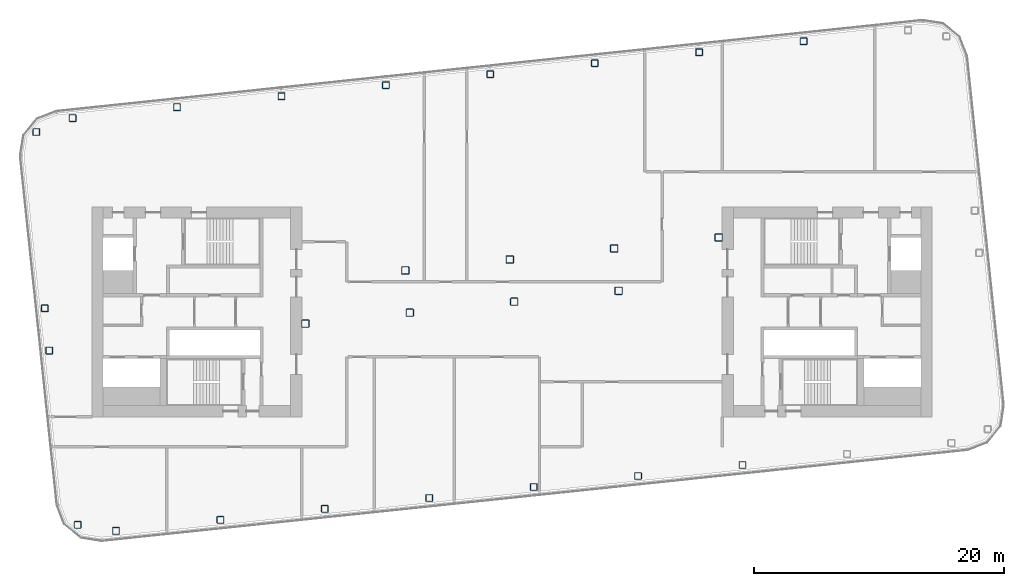
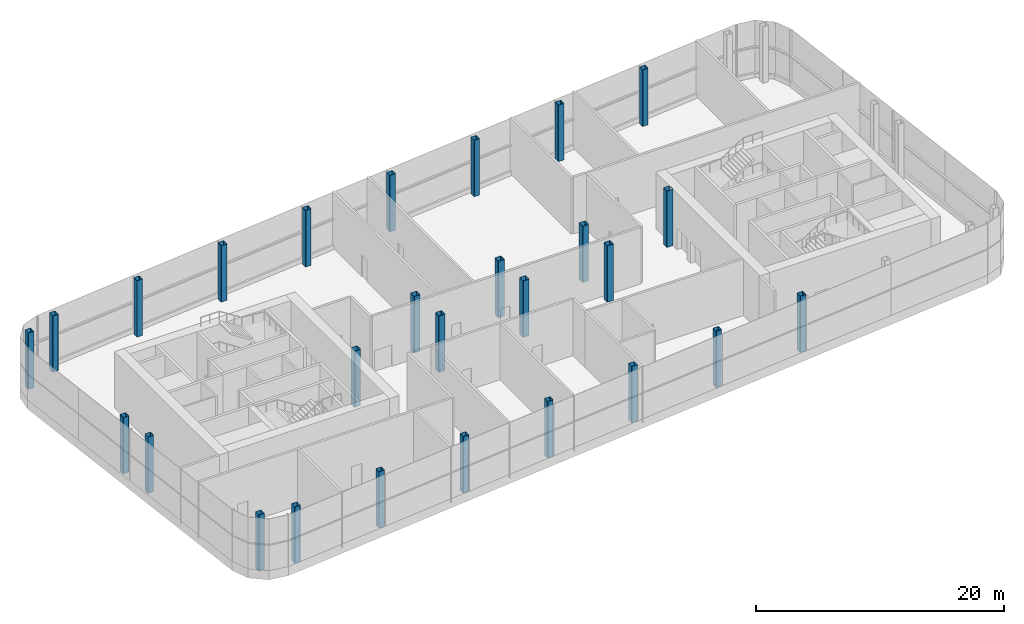
# One storey, part 1 of 35: 27 columns.
"""IFC4 building model written with IfcOpenShell, lengths in metres."""

from ifc_helpers import new_model, si_unit, direction, frame, origin, origin_2d, place, context, subcontext, project, spatial, hollow_rectangle, extrude, material, material_profile, profile_set, type_object, element, save


model = new_model("IFC4")

# Units and contexts
model_context = context("Model", 3, precision=1e-05, world=origin(), true_north=direction((0.0, 1.0)))
body_context = subcontext(model_context, "Body", "Model", "MODEL_VIEW")
ifc_project = project(units=[si_unit("LENGTHUNIT", "METRE"), si_unit("AREAUNIT", "SQUARE_METRE"), si_unit("VOLUMEUNIT", "CUBIC_METRE"), si_unit("PLANEANGLEUNIT", "RADIAN"), si_unit("MASSUNIT", "GRAM", prefix="KILO")], contexts=[model_context])

# Site, building, storey
site_placement = place(None, origin())
site = spatial("IfcSite", under=ifc_project, at=site_placement, CompositionType="ELEMENT")
building_placement = place(site_placement, origin())
building = spatial("IfcBuilding", under=site, at=building_placement, Name="Hakoniwa Tower and Hamabe Station Hall", CompositionType="ELEMENT")
storey_placement = place(building_placement, frame((0.0, 0.0, 264.60009765625)))
storey = spatial("IfcBuildingStorey", under=building, at=storey_placement, Name="L75", CompositionType="ELEMENT", Elevation=264.60009765625)

# Columns
ifc_material_1 = material(Name="Steel BCP325", Category="steel")
ifc_material_profile_1 = material_profile(ifc_material_1, hollow_rectangle(XDim=0.550048828125, YDim=0.550048828125, WallThickness=0.02197265625, InnerFilletRadius=0.032958984375, OuterFilletRadius=0.054931640625, at=origin_2d()), Name="BCP-550x550x22")
ifc_profile_set_1 = profile_set([ifc_material_profile_1], Name="Steel BCP325")
column_type_1 = type_object("IfcColumnType", Name="COLUMN BCP-550x550x22", PredefinedType="COLUMN", material=ifc_profile_set_1)
for number, where, z_axis, x_axis, name in (
    (1, (-34.750732421875, -17.04248046875, 0.0), (0.0, 0.0, 1.0), (1.0, 0.0, 0.0), "Column B5-EW-A5"),
    (2, (-37.017333984375, -3.10009765625, 0.0), (0.0, 0.0, 1.0), (1.0, 0.0, 0.0), "Column B5-EW-C5"),
    (3, (-37.372802734375, 0.28125, 0.0), (0.0, 0.0, 1.0), (1.0, 0.0, 0.0), "Column B5-EW-D5"),
    (4, (-38.054443359375, 14.390380859375, 0.0), (0.0, 0.0, 1.0), (1.0, 0.0, 0.0), "Column B5-EW-F5"),
    (5, (-31.680908203125, -17.521240234375, 0.0), (0.0, 0.0, 1.0), (1.0, 0.0, 0.0), "Column B5-3-A5"),
    (6, (-35.151123046875, 15.496826171875, 0.0), (0.0, 0.0, 1.0), (1.0, 0.0, 0.0), "Column B5-3-F5"),
    (7, (-23.326904296875, -16.643310546875, 0.0), (0.0, 0.0, 1.0), (1.0, 0.0, 0.0), "Column B5-4-A5"),
    (8, (-26.797119140625, 16.375, 0.0), (0.0, 0.0, 1.0), (1.0, 0.0, 0.0), "Column B5-4-F5"),
    (9, (-14.972900390625, -15.76513671875, 0.0), (0.0, 0.0, 1.0), (1.0, 0.0, 0.0), "Column B5-5-A5"),
    (10, (-18.443115234375, 17.2529296875, 0.0), (0.0, 0.0, 1.0), (1.0, 0.0, 0.0), "Column B5-5-F5"),
    (11, (-6.618896484375, -14.88720703125, 0.0), (0.0, 0.0, 1.0), (1.0, 0.0, 0.0), "Column B5-6-A5"),
    (12, (-10.089111328125, 18.131103515625, 0.0), (0.0, 0.0, 1.0), (1.0, 0.0, 0.0), "Column B5-6-F5"),
    (13, (1.735107421875, -14.009033203125, 0.0), (0.0, 0.0, 1.0), (1.0, 0.0, 0.0), "Column B5-7-A5"),
    (14, (-1.735107421875, 19.009033203125, 0.0), (0.0, 0.0, 1.0), (1.0, 0.0, 0.0), "Column B5-7-F5"),
    (15, (10.089111328125, -13.131103515625, 0.0), (0.0, 0.0, 1.0), (1.0, 0.0, 0.0), "Column B5-8-A5"),
    (16, (6.618896484375, 19.88720703125, 0.0), (0.0, 0.0, 1.0), (1.0, 0.0, 0.0), "Column B5-8-F5"),
    (17, (18.443115234375, -12.2529296875, 0.0), (0.0, 0.0, 1.0), (1.0, 0.0, 0.0), "Column B5-9-A5"),
    (18, (14.972900390625, 20.76513671875, 0.0), (0.0, 0.0, 1.0), (1.0, 0.0, 0.0), "Column B5-9-F5"),
    (19, (23.326904296875, 21.643310546875, 0.0), (0.0, 0.0, 1.0), (1.0, 0.0, 0.0), "Column B5-10-F5"),
):
    element("IfcColumn", number, at=place(storey_placement, frame(where, z_axis=z_axis, x_axis=x_axis)), inside=storey, type_object=column_type_1, Name=name, PredefinedType="COLUMN", context=body_context, shape_type="SweptSolid", body=[
        extrude(hollow_rectangle(XDim=0.550048828125, YDim=0.550048828125, WallThickness=0.02197265625, InnerFilletRadius=0.032958984375, OuterFilletRadius=0.054931640625, at=origin_2d()), origin(), (0.0, 0.0, 1.0), 5.5498046875),
    ])
ifc_material_2 = material(Name="Steel BCP325", Category="steel")
ifc_material_profile_2 = material_profile(ifc_material_2, hollow_rectangle(XDim=0.60009765625, YDim=0.60009765625, WallThickness=0.02490234375, InnerFilletRadius=0.03759765625, OuterFilletRadius=0.0625, at=origin_2d()), Name="BCP-600x600x25")
ifc_profile_set_2 = profile_set([ifc_material_profile_2], Name="Steel BCP325")
column_type_2 = type_object("IfcColumnType", Name="COLUMN BCP-600x600x25", PredefinedType="COLUMN", material=ifc_profile_set_2)
for number, where, z_axis, x_axis, name in (
    (20, (-16.5302734375, -0.94677734375, 0.0), (0.0, 0.0, 1.0), (1.0, 0.0, 0.0), "Column B5-5-C5"),
    (21, (-8.17626953125, -0.068603515625, 0.0), (0.0, 0.0, 1.0), (1.0, 0.0, 0.0), "Column B5-6-C5"),
    (22, (-8.53173828125, 3.3125, 0.0), (0.0, 0.0, 1.0), (1.0, 0.0, 0.0), "Column B5-6-D5"),
    (23, (0.177734375, 0.809326171875, 0.0), (0.0, 0.0, 1.0), (1.0, 0.0, 0.0), "Column B5-7-C5"),
    (24, (-0.177734375, 4.190673828125, 0.0), (0.0, 0.0, 1.0), (1.0, 0.0, 0.0), "Column B5-7-D5"),
    (25, (8.53173828125, 1.6875, 0.0), (0.0, 0.0, 1.0), (1.0, 0.0, 0.0), "Column B5-8-C5"),
    (26, (8.17626953125, 5.068603515625, 0.0), (0.0, 0.0, 1.0), (1.0, 0.0, 0.0), "Column B5-8-D5"),
    (27, (16.5302734375, 5.94677734375, 0.0), (0.0, 0.0, 1.0), (1.0, 0.0, 0.0), "Column B5-9-D5"),
):
    element("IfcColumn", number, at=place(storey_placement, frame(where, z_axis=z_axis, x_axis=x_axis)), inside=storey, type_object=column_type_2, Name=name, PredefinedType="COLUMN", context=body_context, shape_type="SweptSolid", body=[
        extrude(hollow_rectangle(XDim=0.60009765625, YDim=0.60009765625, WallThickness=0.02490234375, InnerFilletRadius=0.03759765625, OuterFilletRadius=0.0625, at=origin_2d()), origin(), (0.0, 0.0, 1.0), 5.5498046875),
    ])

save(model, "model.ifc")
